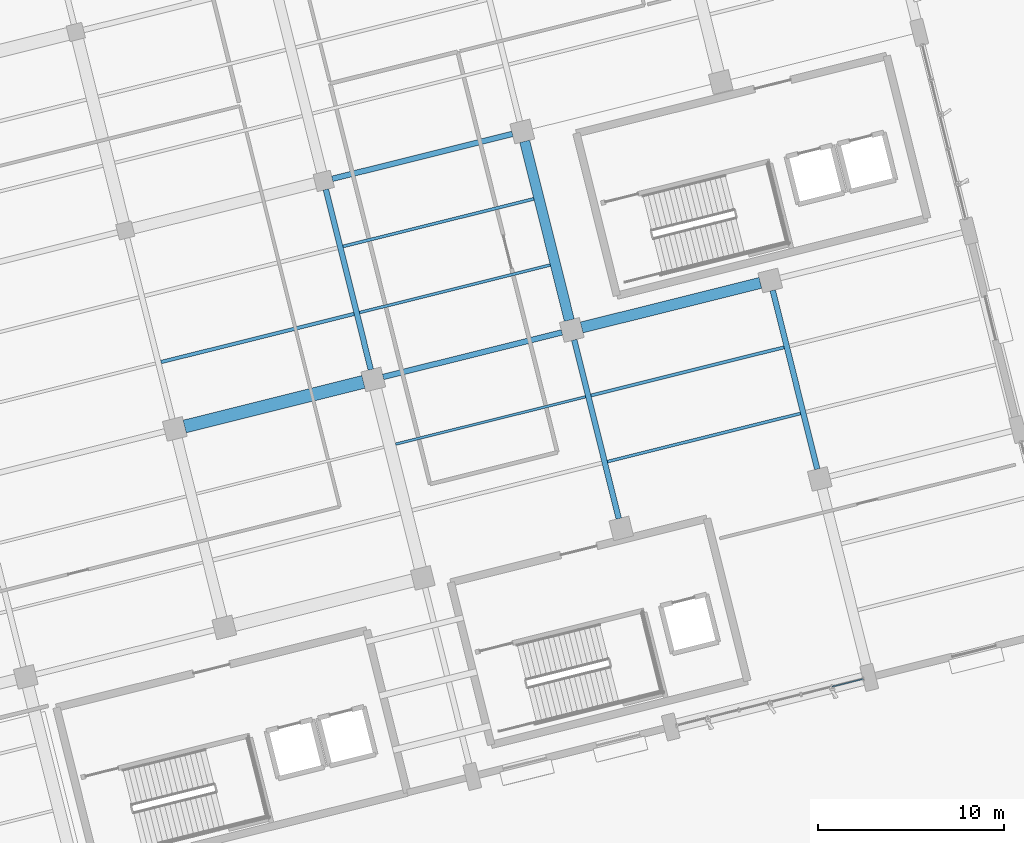
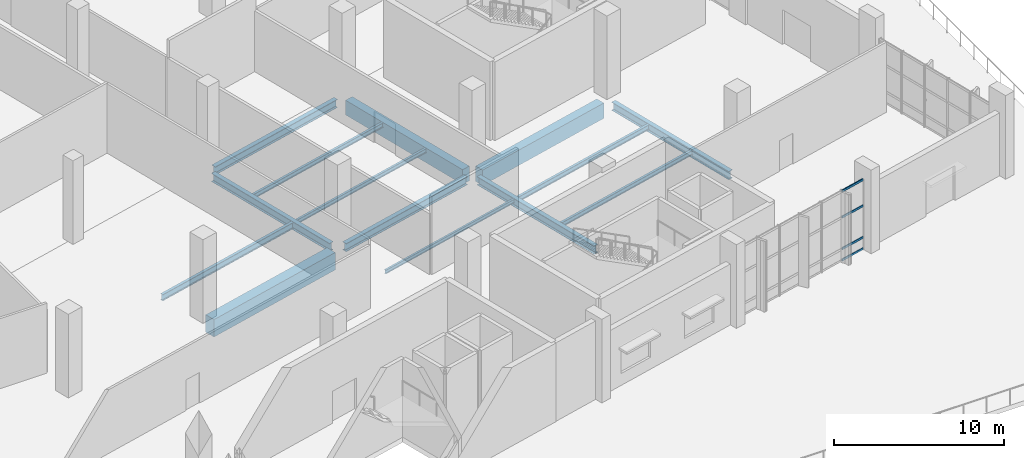
# One storey, part 88 of 163: 14 beams, 4 members, 1 element without a shape of its own.
"""IFC4 building model written with IfcOpenShell, lengths in metres."""

from ifc_helpers import new_model, si_unit, direction, frame, origin, origin_2d, place, context, subcontext, project, spatial, rectangle, hollow_rectangle, i_section, extrude, material, layer, layer_set, material_profile, profile_set, type_object, element, aggregate, save


model = new_model("IFC4")

# Units and contexts
model_context = context("Model", 3, precision=1e-05, world=origin(), true_north=direction((0.0, 1.0)))
body_context = subcontext(model_context, "Body", "Model", "MODEL_VIEW")
ifc_project = project(units=[si_unit("LENGTHUNIT", "METRE"), si_unit("AREAUNIT", "SQUARE_METRE"), si_unit("VOLUMEUNIT", "CUBIC_METRE"), si_unit("PLANEANGLEUNIT", "RADIAN"), si_unit("MASSUNIT", "GRAM", prefix="KILO")], contexts=[model_context])

# Site, building, storey
site_placement = place(None, origin())
site = spatial("IfcSite", under=ifc_project, at=site_placement, CompositionType="ELEMENT")
building_placement = place(site_placement, origin())
building = spatial("IfcBuilding", under=site, at=building_placement, Name="Khorjan Park Terminus", CompositionType="ELEMENT")
storey_placement = place(building_placement, origin())
storey = spatial("IfcBuildingStorey", under=building, at=storey_placement, Name="L00", CompositionType="ELEMENT", Elevation=0.0)

# Beams
ifc_material_1 = material(Name="Steel S355", Category="steel")
ifc_material_profile_1 = material_profile(ifc_material_1, i_section(OverallWidth=0.3, OverallDepth=0.59, WebThickness=0.013, FlangeThickness=0.025, FilletRadius=0.027, at=origin_2d()), Name="HEA 600")
ifc_profile_set_1 = profile_set([ifc_material_profile_1], Name="Steel S355")
beam_type_1 = type_object("IfcBeamType", Name="BM-HEA600", PredefinedType="BEAM", material=ifc_profile_set_1)
beam_1_placement = place(storey_placement, frame((193.2263, 31.4618, -0.655), z_axis=(0.970296634521, 0.241918252798, 0.0), x_axis=(-0.241918252798, 0.970296634521, 0.0)))
element("IfcBeam", 1, at=beam_1_placement, inside=storey, type_object=beam_type_1, Name="Primary skew-grid floor girder SB-A60 (L00)", PredefinedType="BEAM", context=body_context, shape_type="SweptSolid", body=[
    extrude(i_section(OverallWidth=0.3, OverallDepth=0.59, WebThickness=0.013, FlangeThickness=0.025, FilletRadius=0.027, at=origin_2d()), origin(), (0.0, 0.0, 1.0), 9.91),
])
for number, where, z_axis, x_axis, name in (
    (2, (190.4924, 42.1169, -0.655), (0.970295477616, 0.241922892916, 0.0), (-0.241922892916, 0.970295477616, 0.0), "Primary skew-grid floor girder SB-A60 (L00)"),
    (3, (192.5656, 31.8587, -0.655), (-0.241922892916, 0.970295477616, 0.0), (-0.970295477616, -0.241922892916, 0.0), "Primary skew-grid floor girder SB-A60 (L00)"),
):
    element("IfcBeam", number, at=place(storey_placement, frame(where, z_axis=z_axis, x_axis=x_axis)), inside=storey, type_object=beam_type_1, Name=name, PredefinedType="BEAM", context=body_context, shape_type="SweptSolid", body=[
        extrude(i_section(OverallWidth=0.3, OverallDepth=0.59, WebThickness=0.013, FlangeThickness=0.025, FilletRadius=0.027, at=origin_2d()), origin(), (0.0, 0.0, 1.0), 9.985),
    ])
ifc_material_profile_2 = material_profile(ifc_material_1, i_section(OverallWidth=0.3, OverallDepth=0.6, WebThickness=0.0155, FlangeThickness=0.03, FilletRadius=0.027, at=origin_2d()), Name="HEB 600")
ifc_profile_set_2 = profile_set([ifc_material_profile_2], Name="Steel S355")
beam_type_2 = type_object("IfcBeamType", Name="BM-HEB600", PredefinedType="BEAM", material=ifc_profile_set_2)
beam_2_placement = place(storey_placement, frame((205.9, 23.8466, -0.66), z_axis=(-0.241915884168, 0.970297225074, 0.0), x_axis=(-0.970297225074, -0.241915884168, 0.0)))
element("IfcBeam", 4, at=beam_2_placement, inside=storey, type_object=beam_type_2, Name="Primary skew-grid floor girder SB-B60 (L00)", PredefinedType="BEAM", context=body_context, shape_type="SweptSolid", body=[
    extrude(i_section(OverallWidth=0.3, OverallDepth=0.6, WebThickness=0.0155, FlangeThickness=0.03, FilletRadius=0.027, at=origin_2d()), origin(), (0.0, 0.0, 1.0), 9.9101),
])
beam_3_placement = place(storey_placement, frame((216.5733, 26.5078, -0.66), z_axis=(-0.24192775306, 0.970294265828, 0.0), x_axis=(-0.970294265828, -0.24192775306, 0.0)))
element("IfcBeam", 5, at=beam_3_placement, inside=storey, type_object=beam_type_2, Name="Primary skew-grid floor girder SB-B60 (L00)", PredefinedType="BEAM", context=body_context, shape_type="SweptSolid", body=[
    extrude(i_section(OverallWidth=0.3, OverallDepth=0.6, WebThickness=0.0155, FlangeThickness=0.03, FilletRadius=0.027, at=origin_2d()), origin(), (0.0, 0.0, 1.0), 9.91),
])
ifc_material_2 = material(Name="Concrete C40/50", Category="concrete")
ifc_material_profile_3 = material_profile(ifc_material_2, rectangle(XDim=0.55, YDim=1.05, at=origin_2d()), Name="RC 550x1050")
ifc_profile_set_3 = profile_set([ifc_material_profile_3], Name="Concrete C40/50")
beam_type_3 = type_object("IfcBeamType", Name="BM-RC550x1050", PredefinedType="BEAM", material=ifc_profile_set_3)
beam_4_placement = place(storey_placement, frame((203.2389, 34.5199, -0.885), z_axis=(-0.24192775306, 0.970294265828, 0.0), x_axis=(-0.970294265828, -0.24192775306, 0.0)))
element("IfcBeam", 6, at=beam_4_placement, inside=storey, type_object=beam_type_3, Name="Primary skew-grid floor girder GB-105 (L00)", PredefinedType="BEAM", context=body_context, shape_type="SweptSolid", body=[
    extrude(rectangle(XDim=0.55, YDim=1.05, at=origin_2d()), origin(), (0.0, 0.0, 1.0), 9.91),
])
ifc_material_profile_4 = material_profile(ifc_material_2, rectangle(XDim=0.6, YDim=1.1, at=origin_2d()), Name="RC 600x1100")
ifc_profile_set_4 = profile_set([ifc_material_profile_4], Name="Concrete C40/50")
beam_type_4 = type_object("IfcBeamType", Name="BM-RC600x1100", PredefinedType="BEAM", material=ifc_profile_set_4)
beam_5_placement = place(storey_placement, frame((203.8995, 34.1229, -0.91), z_axis=(0.970294856426, 0.241925384349, 0.0), x_axis=(-0.241925384349, 0.970294856426, 0.0)))
element("IfcBeam", 7, at=beam_5_placement, inside=storey, type_object=beam_type_4, Name="Primary skew-grid floor girder GB-11 (L00)", PredefinedType="BEAM", context=body_context, shape_type="SweptSolid", body=[
    extrude(rectangle(XDim=0.6, YDim=1.1, at=origin_2d()), origin(), (0.0, 0.0, 1.0), 9.9101),
])
ifc_material_profile_5 = material_profile(ifc_material_2, rectangle(XDim=0.7, YDim=1.25, at=origin_2d()), Name="RC 700x1250")
ifc_profile_set_5 = profile_set([ifc_material_profile_5], Name="Concrete C40/50")
beam_type_5 = type_object("IfcBeamType", Name="BM-RC700x1250", PredefinedType="BEAM", material=ifc_profile_set_5)
beam_6_placement = place(storey_placement, frame((182.553, 28.8006, -0.985), z_axis=(0.970294856426, 0.241925384349, 0.0), x_axis=(-0.241925384349, 0.970294856426, 0.0)))
element("IfcBeam", 8, at=beam_6_placement, inside=storey, type_object=beam_type_5, Name="Primary skew-grid floor girder GB-125 (L00)", PredefinedType="BEAM", context=body_context, shape_type="SweptSolid", body=[
    extrude(rectangle(XDim=0.7, YDim=1.25, at=origin_2d()), origin(), (0.0, 0.0, 1.0), 9.9101),
])
ifc_material_profile_6 = material_profile(ifc_material_1, i_section(OverallWidth=0.135, OverallDepth=0.27, WebThickness=0.0066, FlangeThickness=0.0102, FilletRadius=0.015, at=origin_2d()), Name="IPE 270")
ifc_profile_set_6 = profile_set([ifc_material_profile_6], Name="Steel S355")
beam_type_6 = type_object("IfcBeamType", Name="JS-IPE270", PredefinedType="JOIST", material=ifc_profile_set_6)
beam_7_placement = place(storey_placement, frame((193.8999, 27.8508, -0.495), z_axis=(0.970296002015, 0.241920789668, 0.0), x_axis=(-0.241920789668, 0.970296002015, 0.0)))
element("IfcBeam", 9, at=beam_7_placement, inside=storey, type_object=beam_type_6, Name="Secondary composite floor joist SJ-27 (L00)", PredefinedType="JOIST", context=body_context, shape_type="SweptSolid", body=[
    extrude(i_section(OverallWidth=0.135, OverallDepth=0.27, WebThickness=0.0066, FlangeThickness=0.0102, FilletRadius=0.015, at=origin_2d()), origin(), (0.0, 0.0, 1.0), 10.5249),
])
ifc_material_profile_7 = material_profile(ifc_material_1, i_section(OverallWidth=0.15, OverallDepth=0.3, WebThickness=0.0071, FlangeThickness=0.0107, FilletRadius=0.015, at=origin_2d()), Name="IPE 300")
ifc_profile_set_7 = profile_set([ifc_material_profile_7], Name="Steel S355")
beam_type_7 = type_object("IfcBeamType", Name="JS-IPE300", PredefinedType="JOIST", material=ifc_profile_set_7)
beam_8_placement = place(storey_placement, frame((191.956, 34.924, -0.51), z_axis=(0.970295832192, 0.241921470792, 0.0), x_axis=(-0.241921470792, 0.970295832192, 0.0)))
element("IfcBeam", 10, at=beam_8_placement, inside=storey, type_object=beam_type_7, Name="Secondary composite floor joist SJ-30 (L00)", PredefinedType="JOIST", context=body_context, shape_type="SweptSolid", body=[
    extrude(i_section(OverallWidth=0.15, OverallDepth=0.3, WebThickness=0.0071, FlangeThickness=0.0107, FilletRadius=0.015, at=origin_2d()), origin(), (0.0, 0.0, 1.0), 10.5749),
])
ifc_material_profile_8 = material_profile(ifc_material_1, i_section(OverallWidth=0.16, OverallDepth=0.33, WebThickness=0.0075, FlangeThickness=0.0115, FilletRadius=0.018, at=origin_2d()), Name="IPE 330")
ifc_profile_set_8 = profile_set([ifc_material_profile_8], Name="Steel S355")
beam_type_8 = type_object("IfcBeamType", Name="JS-IPE330", PredefinedType="JOIST", material=ifc_profile_set_8)
beam_9_placement = place(storey_placement, frame((191.0689, 38.4817, -0.525), z_axis=(0.970296385626, 0.241919251074, 0.0), x_axis=(-0.241919251074, 0.970296385626, 0.0)))
element("IfcBeam", 11, at=beam_9_placement, inside=storey, type_object=beam_type_8, Name="Secondary composite floor joist SJ-33 (L00)", PredefinedType="JOIST", context=body_context, shape_type="SweptSolid", body=[
    extrude(i_section(OverallWidth=0.16, OverallDepth=0.33, WebThickness=0.0075, FlangeThickness=0.0115, FilletRadius=0.018, at=origin_2d()), origin(), (0.0, 0.0, 1.0), 10.575),
])
beam_10_placement = place(storey_placement, frame((205.2904, 26.9119, -0.525), z_axis=(0.970294591155, 0.241926448278, 0.0), x_axis=(-0.241926448278, 0.970294591155, 0.0)))
element("IfcBeam", 12, at=beam_10_placement, inside=storey, type_object=beam_type_8, Name="Secondary composite floor joist SJ-33 (L00)", PredefinedType="JOIST", context=body_context, shape_type="SweptSolid", body=[
    extrude(i_section(OverallWidth=0.16, OverallDepth=0.33, WebThickness=0.0075, FlangeThickness=0.0115, FilletRadius=0.018, at=origin_2d()), origin(), (0.0, 0.0, 1.0), 10.6999),
])
ifc_material_profile_9 = material_profile(ifc_material_1, i_section(OverallWidth=0.17, OverallDepth=0.36, WebThickness=0.008, FlangeThickness=0.0127, FilletRadius=0.018, at=origin_2d()), Name="IPE 360")
ifc_profile_set_9 = profile_set([ifc_material_profile_9], Name="Steel S355")
beam_type_9 = type_object("IfcBeamType", Name="JS-IPE360", PredefinedType="JOIST", material=ifc_profile_set_9)
beam_11_placement = place(storey_placement, frame((204.4033, 30.4696, -0.54), z_axis=(0.970297331913, 0.241915455651, 0.0), x_axis=(-0.241915455651, 0.970297331913, 0.0)))
element("IfcBeam", 13, at=beam_11_placement, inside=storey, type_object=beam_type_9, Name="Secondary composite floor joist SJ-36 (L00)", PredefinedType="JOIST", context=body_context, shape_type="SweptSolid", body=[
    extrude(i_section(OverallWidth=0.17, OverallDepth=0.36, WebThickness=0.008, FlangeThickness=0.0127, FilletRadius=0.018, at=origin_2d()), origin(), (0.0, 0.0, 1.0), 10.7),
])
ifc_material_profile_10 = material_profile(ifc_material_1, i_section(OverallWidth=0.19, OverallDepth=0.45, WebThickness=0.0094, FlangeThickness=0.0146, FilletRadius=0.021, at=origin_2d()), Name="IPE 450")
ifc_profile_set_10 = profile_set([ifc_material_profile_10], Name="Steel S355")
beam_type_10 = type_object("IfcBeamType", Name="JS-IPE450", PredefinedType="JOIST", material=ifc_profile_set_10)
beam_12_placement = place(storey_placement, frame((181.2827, 32.2629, -0.585), z_axis=(0.970297331913, 0.241915455651, 0.0), x_axis=(-0.241915455651, 0.970297331913, 0.0)))
element("IfcBeam", 14, at=beam_12_placement, inside=storey, type_object=beam_type_10, Name="Secondary composite floor joist SJ-45 (L00)", PredefinedType="JOIST", context=body_context, shape_type="SweptSolid", body=[
    extrude(i_section(OverallWidth=0.19, OverallDepth=0.45, WebThickness=0.0094, FlangeThickness=0.0146, FilletRadius=0.021, at=origin_2d()), origin(), (0.0, 0.0, 1.0), 10.7),
])

# Curtain wall, members
ifc_material_3 = material(Name="Anodized Bronze Aluminium", Category="aluminium")
ifc_layer = layer(ifc_material_3, 0.22)
ifc_layer_set = layer_set([ifc_layer], Name="Anodized Bronze Aluminium")
curtain_wall_type = type_object("IfcCurtainWallType", Name="CW-OPS-B", PredefinedType="NOTDEFINED", material=ifc_layer_set)
curtain_wall_placement = place(storey_placement, origin())
curtain_wall = element("IfcCurtainWall", 15, at=curtain_wall_placement, inside=storey, type_object=curtain_wall_type, Name="Unitized curtain wall CW-B (CW-V5-S-L00-B05)", PredefinedType="NOTDEFINED")
ifc_material_profile_11 = material_profile(ifc_material_3, hollow_rectangle(XDim=0.07, YDim=0.16, WallThickness=0.004, InnerFilletRadius=0.004, OuterFilletRadius=0.008, at=origin_2d()), Name="ALT 70x160x4")
ifc_profile_set_11 = profile_set([ifc_material_profile_11], Name="Anodized Bronze Aluminium")
member_type = type_object("IfcMemberType", Name="TR-ALT-160", PredefinedType="USERDEFINED", material=ifc_profile_set_11)
member_1_placement = place(storey_placement, frame((217.3738, 14.8089, 0.04), z_axis=(0.970295910649, 0.241921156121, 0.0), x_axis=(-0.241921156121, 0.970295910649, 0.0)))
member_1 = element("IfcMember", 16, at=member_1_placement, type_object=member_type, Name="Curtain-wall transom TR-16 (CW-V5-S-L00-B05-5-1)", ObjectType="TRANSOM", PredefinedType="USERDEFINED", context=body_context, shape_type="SweptSolid", body=[
    extrude(hollow_rectangle(XDim=0.07, YDim=0.16, WallThickness=0.004, InnerFilletRadius=0.004, OuterFilletRadius=0.008, at=origin_2d()), origin(), (0.0, 0.0, 1.0), 1.7233),
])
member_2_placement = place(storey_placement, frame((217.3738, 14.8089, 0.85), z_axis=(0.970295910649, 0.241921156121, 0.0), x_axis=(-0.241921156121, 0.970295910649, 0.0)))
member_2 = element("IfcMember", 17, at=member_2_placement, type_object=member_type, Name="Curtain-wall transom TR-16 (CW-V5-S-L00-B05-5-2)", ObjectType="TRANSOM", PredefinedType="USERDEFINED", context=body_context, shape_type="SweptSolid", body=[
    extrude(hollow_rectangle(XDim=0.07, YDim=0.16, WallThickness=0.004, InnerFilletRadius=0.004, OuterFilletRadius=0.008, at=origin_2d()), origin(), (0.0, 0.0, 1.0), 1.7233),
])
member_3_placement = place(storey_placement, frame((217.3738, 14.8089, 3.1155), z_axis=(0.970295910649, 0.241921156121, 0.0), x_axis=(-0.241921156121, 0.970295910649, 0.0)))
member_3 = element("IfcMember", 18, at=member_3_placement, type_object=member_type, Name="Curtain-wall transom TR-16 (CW-V5-S-L00-B05-5-3)", ObjectType="TRANSOM", PredefinedType="USERDEFINED", context=body_context, shape_type="SweptSolid", body=[
    extrude(hollow_rectangle(XDim=0.07, YDim=0.16, WallThickness=0.004, InnerFilletRadius=0.004, OuterFilletRadius=0.008, at=origin_2d()), origin(), (0.0, 0.0, 1.0), 1.7233),
])
member_4_placement = place(storey_placement, frame((217.3738, 14.8089, 4.985), z_axis=(0.970295910649, 0.241921156121, 0.0), x_axis=(-0.241921156121, 0.970295910649, 0.0)))
member_4 = element("IfcMember", 19, at=member_4_placement, type_object=member_type, Name="Curtain-wall transom TR-16 (CW-V5-S-L00-B05-5-4)", ObjectType="TRANSOM", PredefinedType="USERDEFINED", context=body_context, shape_type="SweptSolid", body=[
    extrude(hollow_rectangle(XDim=0.07, YDim=0.16, WallThickness=0.004, InnerFilletRadius=0.004, OuterFilletRadius=0.008, at=origin_2d()), origin(), (0.0, 0.0, 1.0), 1.7233),
])
aggregate(curtain_wall, [member_1, member_2, member_3, member_4])

save(model, "model.ifc")
